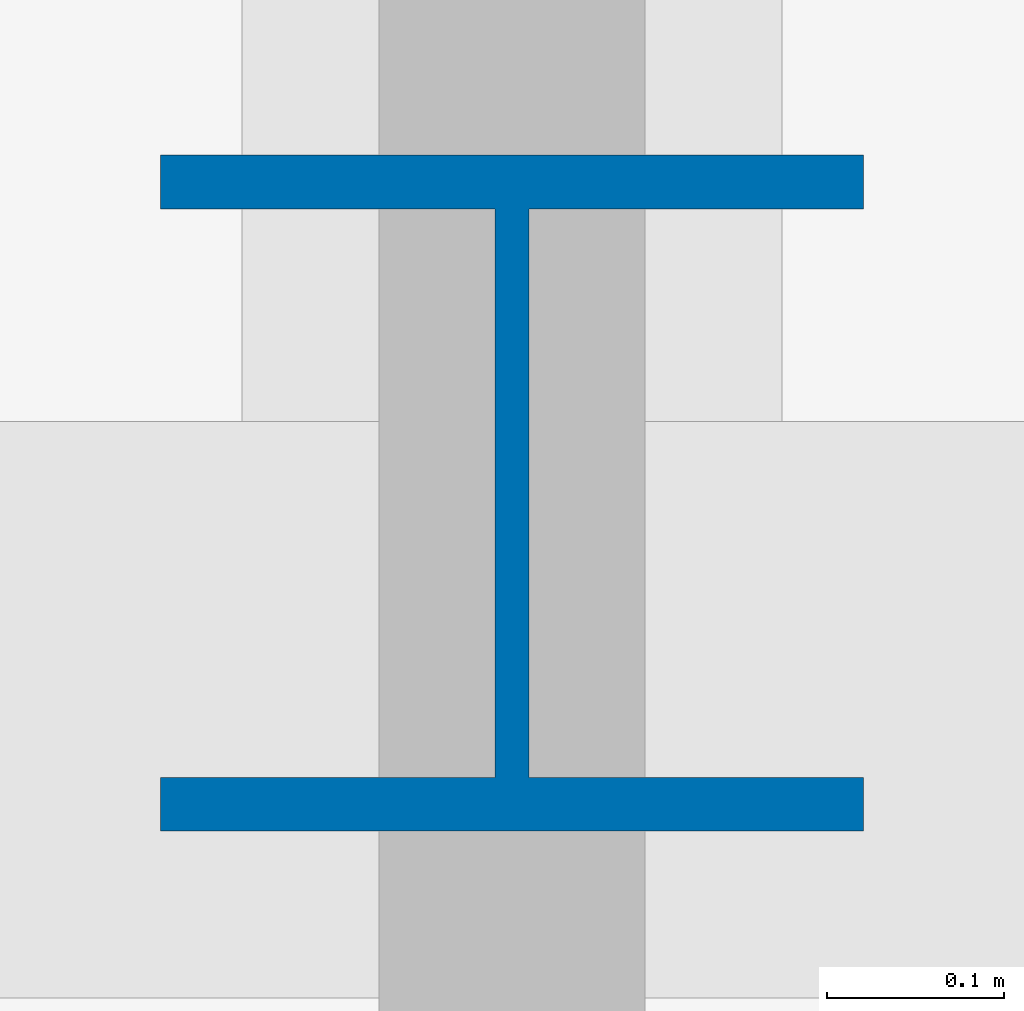
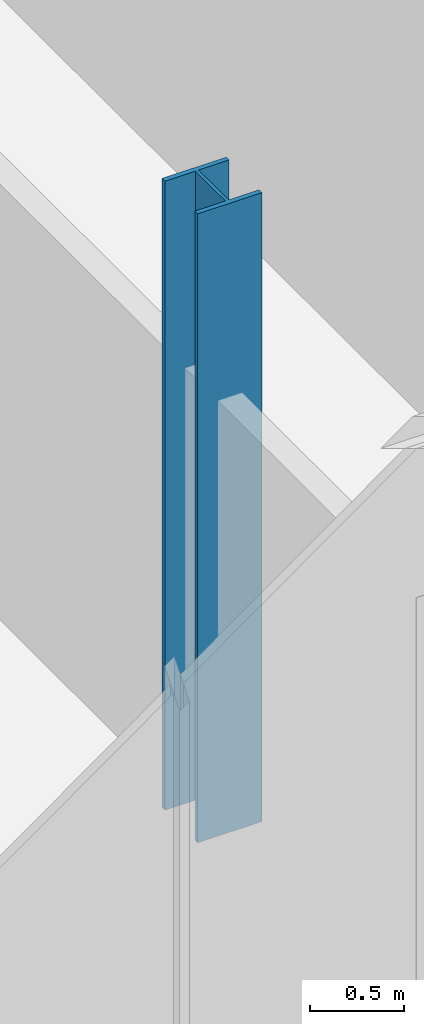
# One storey, part 2 of 21: 1 column.
"""IFC4 building model written with IfcOpenShell, lengths in metres."""

from ifc_helpers import new_model, si_unit, direction, frame, origin, origin_2d, place, context, subcontext, project, spatial, i_section, extrude, material, material_profile, profile_set, type_object, element, save


model = new_model("IFC4")

# Units and contexts
model_context = context("Model", 3, precision=1e-05, world=origin(), true_north=direction((0.0, 1.0)))
body_context = subcontext(model_context, "Body", "Model", "MODEL_VIEW")
ifc_project = project(units=[si_unit("LENGTHUNIT", "METRE"), si_unit("AREAUNIT", "SQUARE_METRE"), si_unit("VOLUMEUNIT", "CUBIC_METRE"), si_unit("PLANEANGLEUNIT", "RADIAN"), si_unit("MASSUNIT", "GRAM", prefix="KILO")], contexts=[model_context])

# Site, building, storey
site_placement = place(None, origin())
site = spatial("IfcSite", under=ifc_project, at=site_placement, CompositionType="ELEMENT")
building_placement = place(site_placement, origin())
building = spatial("IfcBuilding", under=site, at=building_placement, Name="Bicima Exchange Tower", CompositionType="ELEMENT")
storey_placement = place(building_placement, frame((0.0, 0.0, 165.0)))
storey = spatial("IfcBuildingStorey", under=building, at=storey_placement, Name="L36", CompositionType="ELEMENT", Elevation=165.0)

# Column
ifc_material = material(Name="Steel ASTM A992 Gr 50", Category="steel")
ifc_material_profile = material_profile(ifc_material, i_section(OverallWidth=0.396240234375, OverallDepth=0.381103515625, WebThickness=0.01904296875, FlangeThickness=0.0302734375, at=origin_2d()))
ifc_profile_set = profile_set([ifc_material_profile], Name="Steel ASTM A992 Gr 50")
column_type = type_object("IfcColumnType", Name="Perimeter column W14x159", PredefinedType="COLUMN", material=ifc_profile_set)
column_placement = place(storey_placement, frame((26.10009765625, -32.157958984375, 0.0), z_axis=(0.0, 0.0, 1.0), x_axis=(1.0, 0.0, 0.0)))
element("IfcColumn", 1, at=column_placement, inside=storey, type_object=column_type, Name="Perimeter column grav+26.1f", PredefinedType="COLUMN", context=body_context, shape_type="SweptSolid", body=[
    extrude(i_section(OverallWidth=0.396240234375, OverallDepth=0.381103515625, WebThickness=0.01904296875, FlangeThickness=0.0302734375, at=origin_2d()), origin(), (0.0, 0.0, 1.0), 4.10009765625),
])

save(model, "model.ifc")
